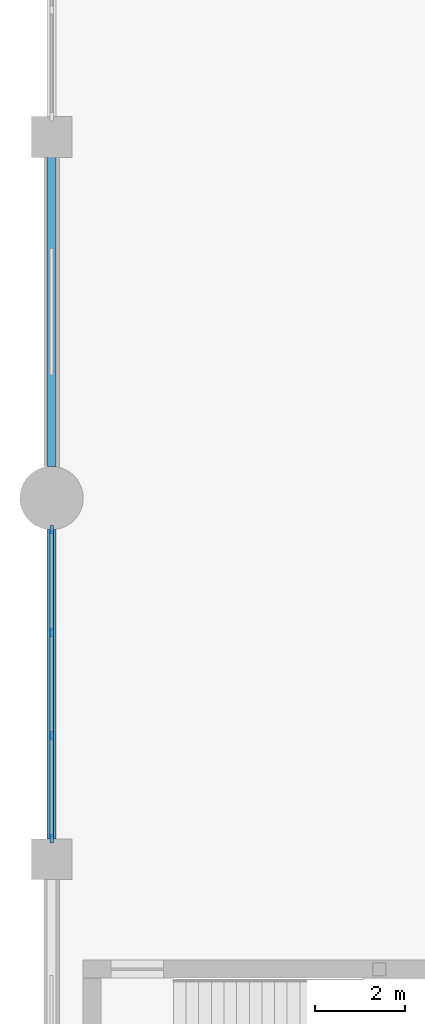
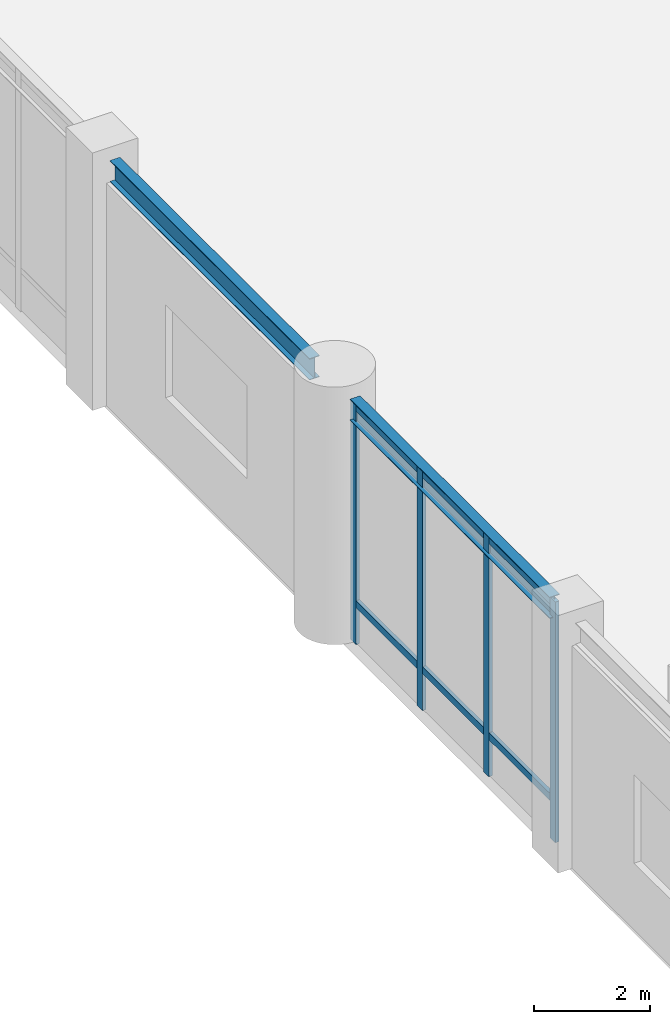
# One storey, part 18 of 79: 10 members, 2 beams, 1 element without a shape of its own.
"""IFC4 building model written with IfcOpenShell, lengths in metres."""

from ifc_helpers import new_model, si_unit, direction, frame, origin, origin_2d, place, context, subcontext, project, spatial, rectangle, i_section, extrude, material, layer, layer_set, material_profile, profile_set, type_object, element, aggregate, save


model = new_model("IFC4")

# Units and contexts
model_context = context("Model", 3, precision=1e-05, world=origin(), true_north=direction((0.0, 1.0)))
body_context = subcontext(model_context, "Body", "Model", "MODEL_VIEW")
ifc_project = project(units=[si_unit("LENGTHUNIT", "METRE"), si_unit("AREAUNIT", "SQUARE_METRE"), si_unit("VOLUMEUNIT", "CUBIC_METRE"), si_unit("PLANEANGLEUNIT", "RADIAN"), si_unit("MASSUNIT", "GRAM", prefix="KILO")], contexts=[model_context])

# Site, building, storey
site_placement = place(None, origin())
site = spatial("IfcSite", under=ifc_project, at=site_placement, CompositionType="ELEMENT")
building_placement = place(site_placement, origin())
building = spatial("IfcBuilding", under=site, at=building_placement, Name="Naruveol Harbour Congress Hotel", CompositionType="ELEMENT")
storey_placement = place(building_placement, frame((0.0, 0.0, 6.0)))
storey = spatial("IfcBuildingStorey", under=building, at=storey_placement, Name="L01", CompositionType="ELEMENT", Elevation=6.0)

# Beams
ifc_material_1 = material(Name="Steel SN490", Category="steel")
ifc_material_profile_1 = material_profile(ifc_material_1, i_section(OverallWidth=0.199951171875, OverallDepth=0.449951171875, WebThickness=0.009033203125, FlangeThickness=0.013916015625, at=origin_2d()), Name="H-450x200x9x14")
ifc_profile_set_1 = profile_set([ifc_material_profile_1], Name="Steel SN490")
beam_type = type_object("IfcBeamType", Name="STEEL SPANDREL EDGE BEAM H450", PredefinedType="SPANDREL", material=ifc_profile_set_1)
for number, where, z_axis, x_axis, name in (
    (1, (0.0, 16.446044921875, 4.89501953125), (0.0, 1.0, 0.0), (-1.0, 0.0, 0.0), "Transverse girder L02 SPB2"),
    (2, (0.0, 24.696044921875, 4.89501953125), (0.0, 1.0, 0.0), (-1.0, 0.0, 0.0), "Transverse girder L02 SPB2"),
):
    element("IfcBeam", number, at=place(storey_placement, frame(where, z_axis=z_axis, x_axis=x_axis)), inside=storey, type_object=beam_type, Name=name, PredefinedType="SPANDREL", context=body_context, shape_type="SweptSolid", body=[
        extrude(i_section(OverallWidth=0.199951171875, OverallDepth=0.449951171875, WebThickness=0.009033203125, FlangeThickness=0.013916015625, at=origin_2d()), origin(), (0.0, 0.0, 1.0), 6.85791015625),
    ])

# Curtain wall, members
ifc_material_2 = material(Name="Low-E Curtain Wall System", Category="glass")
ifc_layer = layer(ifc_material_2, 0.179931640625)
ifc_layer_set = layer_set([ifc_layer], Name="Low-E Curtain Wall System")
curtain_wall_type = type_object("IfcCurtainWallType", Name="UNITISED CURTAIN WALL CW-V1W-01 6850X5050", PredefinedType="USERDEFINED", material=ifc_layer_set)
curtain_wall_placement = place(storey_placement, origin())
curtain_wall = element("IfcCurtainWall", 3, at=curtain_wall_placement, inside=storey, type_object=curtain_wall_type, Name="Unitised curtain wall CW-V1W-01 L01", ObjectType="UNITISED GLAZING", PredefinedType="USERDEFINED")
ifc_material_3 = material(Name="Anodised Aluminium 6063-T6", Category="aluminium")
ifc_material_profile_2 = material_profile(ifc_material_3, rectangle(XDim=0.074951171875, YDim=0.179931640625, at=origin_2d()), Name="ALU-75x180")
ifc_profile_set_2 = profile_set([ifc_material_profile_2], Name="Anodised Aluminium 6063-T6")
member_type_1 = type_object("IfcMemberType", Name="THERMAL ALUMINIUM MULLION 75X180", PredefinedType="MULLION", material=ifc_profile_set_2)
member_1_placement = place(storey_placement, frame((0.0, 16.449951171875, 0.0), z_axis=(0.0, 0.0, 1.0), x_axis=(1.0, 0.0, 0.0)))
member_1 = element("IfcMember", 4, at=member_1_placement, type_object=member_type_1, Name="Curtain wall mullion CW-L01-0001-M0", PredefinedType="MULLION", context=body_context, shape_type="SweptSolid", body=[
    extrude(rectangle(XDim=0.074951171875, YDim=0.179931640625, at=origin_2d()), origin(), (0.0, 0.0, 1.0), 5.050048828125),
])
member_2_placement = place(storey_placement, frame((0.0, 18.7333984375, 0.0), z_axis=(0.0, 0.0, 1.0), x_axis=(1.0, 0.0, 0.0)))
member_2 = element("IfcMember", 5, at=member_2_placement, type_object=member_type_1, Name="Curtain wall mullion CW-L01-0001-M1", PredefinedType="MULLION", context=body_context, shape_type="SweptSolid", body=[
    extrude(rectangle(XDim=0.074951171875, YDim=0.179931640625, at=origin_2d()), origin(), (0.0, 0.0, 1.0), 5.050048828125),
])
member_3_placement = place(storey_placement, frame((0.0, 21.0166015625, 0.0), z_axis=(0.0, 0.0, 1.0), x_axis=(1.0, 0.0, 0.0)))
member_3 = element("IfcMember", 6, at=member_3_placement, type_object=member_type_1, Name="Curtain wall mullion CW-L01-0001-M2", PredefinedType="MULLION", context=body_context, shape_type="SweptSolid", body=[
    extrude(rectangle(XDim=0.074951171875, YDim=0.179931640625, at=origin_2d()), origin(), (0.0, 0.0, 1.0), 5.050048828125),
])
member_4_placement = place(storey_placement, frame((0.0, 23.300048828125, 0.0), z_axis=(0.0, 0.0, 1.0), x_axis=(1.0, 0.0, 0.0)))
member_4 = element("IfcMember", 7, at=member_4_placement, type_object=member_type_1, Name="Curtain wall mullion CW-L01-0001-M3", PredefinedType="MULLION", context=body_context, shape_type="SweptSolid", body=[
    extrude(rectangle(XDim=0.074951171875, YDim=0.179931640625, at=origin_2d()), origin(), (0.0, 0.0, 1.0), 5.050048828125),
])
ifc_material_4 = material(Name="Anodised Aluminium 6063-T6", Category="aluminium")
ifc_material_profile_3 = material_profile(ifc_material_4, rectangle(XDim=0.074951171875, YDim=0.14990234375, at=origin_2d()), Name="ALU-75x150")
ifc_profile_set_3 = profile_set([ifc_material_profile_3], Name="Anodised Aluminium 6063-T6")
member_type_2 = type_object("IfcMemberType", Name="THERMAL ALUMINIUM TRANSOM 75X150", PredefinedType="USERDEFINED", material=ifc_profile_set_3)
member_5_placement = place(storey_placement, frame((0.0, 16.489990234375, 0.85009765625), z_axis=(0.0, 1.0, 0.0), x_axis=(-1.0, 0.0, 0.0)))
member_5 = element("IfcMember", 8, at=member_5_placement, type_object=member_type_2, Name="Curtain wall transom CW-L01-0001-T0.1", ObjectType="TRANSOM", PredefinedType="USERDEFINED", context=body_context, shape_type="SweptSolid", body=[
    extrude(rectangle(XDim=0.074951171875, YDim=0.14990234375, at=origin_2d()), origin(), (0.0, 0.0, 1.0), 2.203369140625),
])
member_6_placement = place(storey_placement, frame((0.0, 16.489990234375, 4.969970703125), z_axis=(0.0, 1.0, 0.0), x_axis=(-1.0, 0.0, 0.0)))
member_6 = element("IfcMember", 9, at=member_6_placement, type_object=member_type_2, Name="Curtain wall transom CW-L01-0001-T0.2", ObjectType="TRANSOM", PredefinedType="USERDEFINED", context=body_context, shape_type="SweptSolid", body=[
    extrude(rectangle(XDim=0.074951171875, YDim=0.14990234375, at=origin_2d()), origin(), (0.0, 0.0, 1.0), 2.203369140625),
])
member_7_placement = place(storey_placement, frame((0.0, 18.773193359375, 0.85009765625), z_axis=(0.0, 1.0, 0.0), x_axis=(-1.0, 0.0, 0.0)))
member_7 = element("IfcMember", 10, at=member_7_placement, type_object=member_type_2, Name="Curtain wall transom CW-L01-0001-T1.1", ObjectType="TRANSOM", PredefinedType="USERDEFINED", context=body_context, shape_type="SweptSolid", body=[
    extrude(rectangle(XDim=0.074951171875, YDim=0.14990234375, at=origin_2d()), origin(), (0.0, 0.0, 1.0), 2.20361328125),
])
member_8_placement = place(storey_placement, frame((0.0, 18.773193359375, 4.969970703125), z_axis=(0.0, 1.0, 0.0), x_axis=(-1.0, 0.0, 0.0)))
member_8 = element("IfcMember", 11, at=member_8_placement, type_object=member_type_2, Name="Curtain wall transom CW-L01-0001-T1.2", ObjectType="TRANSOM", PredefinedType="USERDEFINED", context=body_context, shape_type="SweptSolid", body=[
    extrude(rectangle(XDim=0.074951171875, YDim=0.14990234375, at=origin_2d()), origin(), (0.0, 0.0, 1.0), 2.20361328125),
])
member_9_placement = place(storey_placement, frame((0.0, 21.056640625, 0.85009765625), z_axis=(0.0, 1.0, 0.0), x_axis=(-1.0, 0.0, 0.0)))
member_9 = element("IfcMember", 12, at=member_9_placement, type_object=member_type_2, Name="Curtain wall transom CW-L01-0001-T2.1", ObjectType="TRANSOM", PredefinedType="USERDEFINED", context=body_context, shape_type="SweptSolid", body=[
    extrude(rectangle(XDim=0.074951171875, YDim=0.14990234375, at=origin_2d()), origin(), (0.0, 0.0, 1.0), 2.203369140625),
])
member_10_placement = place(storey_placement, frame((0.0, 21.056640625, 4.969970703125), z_axis=(0.0, 1.0, 0.0), x_axis=(-1.0, 0.0, 0.0)))
member_10 = element("IfcMember", 13, at=member_10_placement, type_object=member_type_2, Name="Curtain wall transom CW-L01-0001-T2.2", ObjectType="TRANSOM", PredefinedType="USERDEFINED", context=body_context, shape_type="SweptSolid", body=[
    extrude(rectangle(XDim=0.074951171875, YDim=0.14990234375, at=origin_2d()), origin(), (0.0, 0.0, 1.0), 2.203369140625),
])
aggregate(curtain_wall, [member_1, member_2, member_3, member_4, member_5, member_6, member_7, member_8, member_9, member_10])

save(model, "model.ifc")
